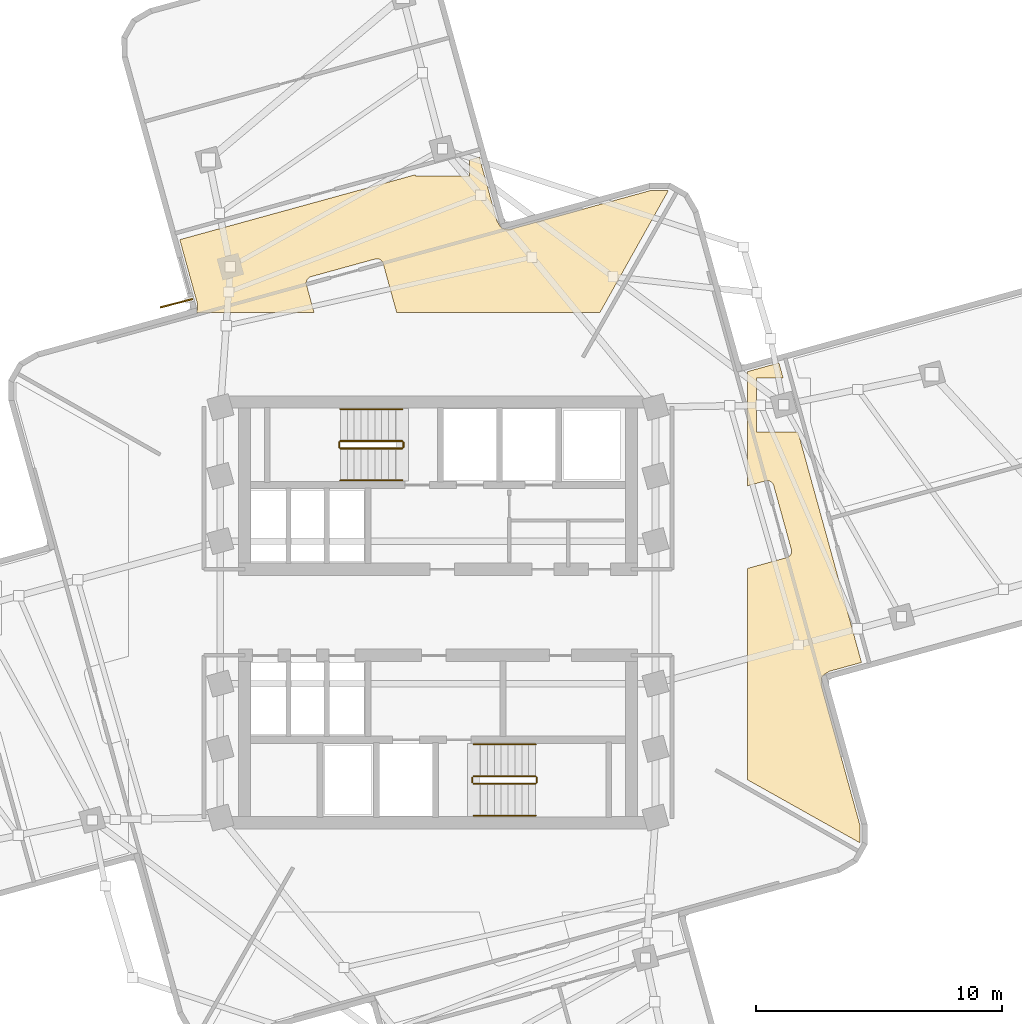
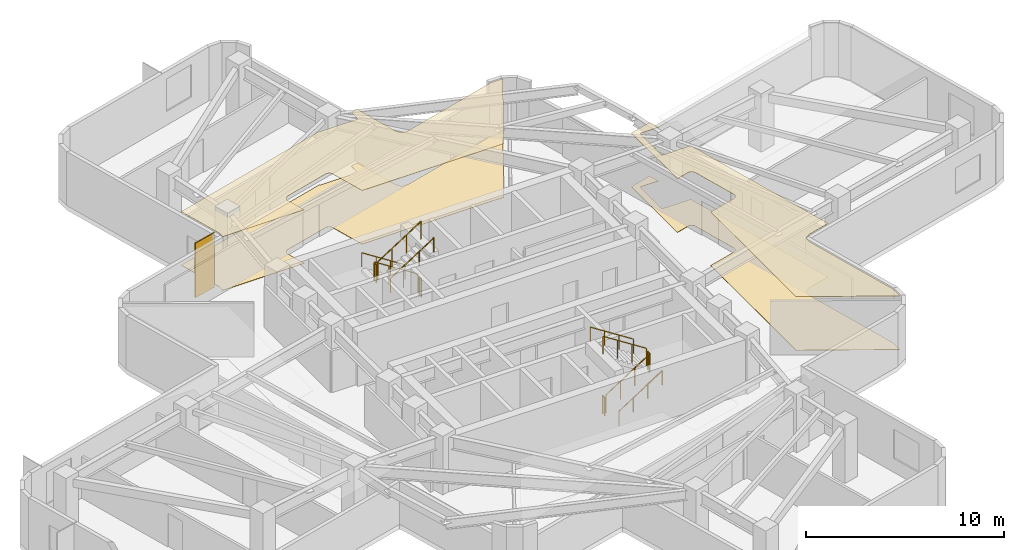
# One storey, part 7 of 8: 12 railings, 4 coverings, 1 shading device.
"""IFC4 building model written with IfcOpenShell, lengths in metres."""

from ifc_helpers import new_model, si_unit, direction, frame, origin, origin_2d, place, context, subcontext, project, spatial, polyline, rectangle, circle, outline, extrude, material, layer, layer_set, type_object, element, save


model = new_model("IFC4")

# Units and contexts
model_context = context("Model", 3, precision=1e-05, world=origin(), true_north=direction((0.0, 1.0)))
body_context = subcontext(model_context, "Body", "Model", "MODEL_VIEW")
ifc_project = project(units=[si_unit("LENGTHUNIT", "METRE"), si_unit("AREAUNIT", "SQUARE_METRE"), si_unit("VOLUMEUNIT", "CUBIC_METRE"), si_unit("PLANEANGLEUNIT", "RADIAN"), si_unit("MASSUNIT", "GRAM", prefix="KILO")], contexts=[model_context])

# Site, building, storey
site_placement = place(None, origin())
site = spatial("IfcSite", under=ifc_project, at=site_placement, CompositionType="ELEMENT")
building_placement = place(site_placement, origin())
building = spatial("IfcBuilding", under=site, at=building_placement, Name="Solmarez Civic Tower", CompositionType="ELEMENT")
storey_placement = place(building_placement, frame((0.0, 0.0, 137.8798828125)))
storey = spatial("IfcBuildingStorey", under=building, at=storey_placement, Name="L36", CompositionType="ELEMENT", Elevation=137.8798828125)

# Coverings
ifc_material_1 = material(Name="Perforated Mineral-Fibre Acoustic Ceiling")
ifc_layer_1 = layer(ifc_material_1, 0.02490234375)
ifc_layer_set_1 = layer_set([ifc_layer_1], Name="Perforated Mineral-Fibre Acoustic Ceiling")
covering_type_1 = type_object("IfcCoveringType", Name="COV-CEIL-ACOUSTIC", PredefinedType="CEILING", material=ifc_layer_set_1)
covering_1_placement = place(storey_placement, frame((0.0, 0.0, 3.295166015625)))
element("IfcCovering", 1, at=covering_1_placement, inside=storey, type_object=covering_type_1, Name="L36 Suspended Acoustic Ceiling 2", PredefinedType="CEILING", context=body_context, shape_type="SweptSolid", body=[
    extrude(outline(polyline([(-10.50390625, 15.1650390625), (-9.802001953125, 12.615966796875), (-9.797119140625, 12.596923828125), (-9.79296875, 12.576904296875), (-9.7919921875, 12.570068359375), (-9.7900390625, 12.5390625), (-9.7900390625, 12.532958984375), (-9.7890625, 12.360107421875), (-9.7890625, 12.35205078125), (-9.791015625, 12.321044921875), (-9.7919921875, 12.31396484375), (-9.797119140625, 12.2919921875), (-9.799072265625, 12.283935546875), (-9.800048828125, 12.277099609375), (-9.802001953125, 12.27001953125), (-9.81201171875, 12.242919921875), (-9.81494140625, 12.236083984375), (-9.825927734375, 12.214111328125), (-9.830078125, 12.20703125), (-9.833984375, 12.199951171875), (-5.041015625, 12.199951171875), (-5.35107421875, 13.327880859375), (-5.35400390625, 13.337890625), (-5.35595703125, 13.346923828125), (-5.360107421875, 13.37109375), (-5.361083984375, 13.39501953125), (-5.361083984375, 13.405029296875), (-5.360107421875, 13.427001953125), (-5.35693359375, 13.447998046875), (-5.35595703125, 13.452880859375), (-5.34912109375, 13.47998046875), (-5.345947265625, 13.489013671875), (-5.337890625, 13.508056640625), (-5.3291015625, 13.52587890625), (-5.323974609375, 13.534912109375), (-5.31396484375, 13.552001953125), (-5.301025390625, 13.568115234375), (-5.2880859375, 13.583984375), (-5.281005859375, 13.591064453125), (-5.26806640625, 13.60205078125), (-5.260986328125, 13.60791015625), (-5.243896484375, 13.6220703125), (-5.22509765625, 13.633056640625), (-5.216064453125, 13.637939453125), (-5.195068359375, 13.64794921875), (-5.174072265625, 13.656005859375), (-5.162109375, 13.658935546875), (-2.55908203125, 14.3759765625), (-2.549072265625, 14.37890625), (-2.5400390625, 14.381103515625), (-2.51611328125, 14.385009765625), (-2.491943359375, 14.385986328125), (-2.48193359375, 14.385986328125), (-2.4599609375, 14.385009765625), (-2.43896484375, 14.382080078125), (-2.43408203125, 14.381103515625), (-2.406982421875, 14.3740234375), (-2.39794921875, 14.37109375), (-2.37890625, 14.363037109375), (-2.361083984375, 14.35400390625), (-2.35205078125, 14.34912109375), (-2.3349609375, 14.339111328125), (-2.319091796875, 14.325927734375), (-2.302978515625, 14.31298828125), (-2.2958984375, 14.305908203125), (-2.284912109375, 14.29296875), (-2.279052734375, 14.285888671875), (-2.264892578125, 14.26904296875), (-2.25390625, 14.25), (-2.2490234375, 14.240966796875), (-2.239013671875, 14.219970703125), (-2.23095703125, 14.198974609375), (-2.22802734375, 14.18701171875), (-1.679931640625, 12.199951171875), (6.590087890625, 12.199951171875), (9.376953125, 17.1689453125), (9.3720703125, 17.172119140625), (8.662109375, 17.1669921875), (3.013916015625, 15.611083984375), (3.008056640625, 15.60888671875), (2.97900390625, 15.60302734375), (2.971923828125, 15.60205078125), (2.94091796875, 15.60009765625), (2.93505859375, 15.60009765625), (2.761962890625, 15.59912109375), (2.7548828125, 15.59912109375), (2.72802734375, 15.60107421875), (2.719970703125, 15.60205078125), (2.702880859375, 15.60400390625), (2.68701171875, 15.60791015625), (2.678955078125, 15.611083984375), (2.656005859375, 15.617919921875), (2.634033203125, 15.626953125), (2.6279296875, 15.6298828125), (2.616943359375, 15.635986328125), (2.610107421875, 15.639892578125), (2.593994140625, 15.64990234375), (2.5791015625, 15.660888671875), (2.568115234375, 15.6689453125), (2.552001953125, 15.68408203125), (2.5380859375, 15.698974609375), (2.528076171875, 15.7109375), (2.513916015625, 15.72998046875), (2.510009765625, 15.736083984375), (2.5029296875, 15.7470703125), (2.4189453125, 15.89111328125), (2.408935546875, 15.907958984375), (2.39990234375, 15.925048828125), (2.39306640625, 15.943115234375), (2.39111328125, 15.948974609375), (2.387939453125, 15.958984375), (2.385986328125, 15.968017578125), (1.681884765625, 18.52099609375), (1.282958984375, 18.412109375), (1.282958984375, 17.760009765625), (-0.9169921875, 17.760009765625), (-0.9169921875, 17.805908203125), (-10.50390625, 15.1650390625)])), origin(), (0.0, 0.0, 1.0), 0.02490234375),
])
covering_2_placement = place(storey_placement, frame((0.0, 0.0, 3.295166015625)))
element("IfcCovering", 2, at=covering_2_placement, inside=storey, type_object=covering_type_1, Name="L36 Suspended Acoustic Ceiling 4", PredefinedType="CEILING", context=body_context, shape_type="SweptSolid", body=[
    extrude(outline(polyline([(13.658935546875, 5.162109375), (14.3759765625, 2.55908203125), (14.37890625, 2.549072265625), (14.381103515625, 2.5400390625), (14.385009765625, 2.51611328125), (14.385986328125, 2.491943359375), (14.385986328125, 2.48193359375), (14.385009765625, 2.4599609375), (14.382080078125, 2.43896484375), (14.381103515625, 2.43408203125), (14.3740234375, 2.406982421875), (14.37109375, 2.39794921875), (14.363037109375, 2.37890625), (14.35400390625, 2.361083984375), (14.34912109375, 2.35205078125), (14.339111328125, 2.3349609375), (14.325927734375, 2.319091796875), (14.31298828125, 2.302978515625), (14.305908203125, 2.2958984375), (14.29296875, 2.284912109375), (14.285888671875, 2.279052734375), (14.26904296875, 2.264892578125), (14.25, 2.25390625), (14.240966796875, 2.2490234375), (14.219970703125, 2.239013671875), (14.198974609375, 2.23095703125), (14.18701171875, 2.22802734375), (12.60009765625, 1.7900390625), (12.60009765625, -6.81494140625), (17.1689453125, -9.376953125), (17.172119140625, -9.3720703125), (17.1669921875, -8.662109375), (15.611083984375, -3.013916015625), (15.60888671875, -3.008056640625), (15.60302734375, -2.97900390625), (15.60205078125, -2.971923828125), (15.60009765625, -2.94091796875), (15.60009765625, -2.93505859375), (15.59912109375, -2.761962890625), (15.59912109375, -2.7548828125), (15.60107421875, -2.72802734375), (15.60205078125, -2.719970703125), (15.60400390625, -2.702880859375), (15.60791015625, -2.68701171875), (15.611083984375, -2.678955078125), (15.617919921875, -2.656005859375), (15.626953125, -2.634033203125), (15.6298828125, -2.6279296875), (15.635986328125, -2.616943359375), (15.639892578125, -2.610107421875), (15.64990234375, -2.593994140625), (15.660888671875, -2.5791015625), (15.6689453125, -2.568115234375), (15.68408203125, -2.552001953125), (15.698974609375, -2.5380859375), (15.7109375, -2.528076171875), (15.72998046875, -2.513916015625), (15.736083984375, -2.510009765625), (15.7470703125, -2.5029296875), (15.89111328125, -2.4189453125), (15.907958984375, -2.408935546875), (15.925048828125, -2.39990234375), (15.943115234375, -2.39306640625), (15.948974609375, -2.39111328125), (15.958984375, -2.387939453125), (15.967041015625, -2.385986328125), (17.22998046875, -2.037109375), (14.64501953125, 7.344970703125), (12.964111328125, 7.344970703125), (12.964111328125, 9.544921875), (14.0400390625, 9.544921875), (13.873046875, 10.14892578125), (12.615966796875, 9.802001953125), (12.60009765625, 9.798095703125), (12.60009765625, 5.15087890625), (13.327880859375, 5.35107421875), (13.337890625, 5.35400390625), (13.346923828125, 5.35595703125), (13.37109375, 5.360107421875), (13.39501953125, 5.361083984375), (13.405029296875, 5.361083984375), (13.427001953125, 5.360107421875), (13.447998046875, 5.35693359375), (13.452880859375, 5.35595703125), (13.47998046875, 5.34912109375), (13.489013671875, 5.345947265625), (13.508056640625, 5.337890625), (13.52587890625, 5.3291015625), (13.534912109375, 5.323974609375), (13.552001953125, 5.31396484375), (13.568115234375, 5.301025390625), (13.583984375, 5.2880859375), (13.591064453125, 5.281005859375), (13.60205078125, 5.26806640625), (13.60791015625, 5.260986328125), (13.6220703125, 5.243896484375), (13.633056640625, 5.22509765625), (13.637939453125, 5.216064453125), (13.64794921875, 5.195068359375), (13.656005859375, 5.174072265625), (13.658935546875, 5.162109375)])), origin(), (0.0, 0.0, 1.0), 0.02490234375),
])
ifc_material_2 = material(Name="Polished Tropical Stone Terrazzo Flooring", Category="masonry")
ifc_layer_2 = layer(ifc_material_2, 0.02001953125)
ifc_layer_set_2 = layer_set([ifc_layer_2], Name="Polished Tropical Stone Terrazzo Flooring")
covering_type_2 = type_object("IfcCoveringType", Name="COV-FLOOR-TERRAZZO", PredefinedType="FLOORING", material=ifc_layer_set_2)
covering_3_placement = place(storey_placement, origin())
element("IfcCovering", 3, at=covering_3_placement, inside=storey, type_object=covering_type_2, Name="L36 Terrazzo Floor Finish 2", PredefinedType="FLOORING", context=body_context, shape_type="SweptSolid", body=[
    extrude(outline(polyline([(-10.50390625, 15.1650390625), (-9.802001953125, 12.615966796875), (-9.797119140625, 12.596923828125), (-9.79296875, 12.576904296875), (-9.7919921875, 12.570068359375), (-9.7900390625, 12.5390625), (-9.7900390625, 12.532958984375), (-9.7890625, 12.360107421875), (-9.7890625, 12.35205078125), (-9.791015625, 12.321044921875), (-9.7919921875, 12.31396484375), (-9.797119140625, 12.2919921875), (-9.799072265625, 12.283935546875), (-9.800048828125, 12.277099609375), (-9.802001953125, 12.27001953125), (-9.81201171875, 12.242919921875), (-9.81494140625, 12.236083984375), (-9.825927734375, 12.214111328125), (-9.830078125, 12.20703125), (-9.833984375, 12.199951171875), (-5.041015625, 12.199951171875), (-5.35107421875, 13.327880859375), (-5.35400390625, 13.337890625), (-5.35595703125, 13.346923828125), (-5.360107421875, 13.37109375), (-5.361083984375, 13.39501953125), (-5.361083984375, 13.405029296875), (-5.360107421875, 13.427001953125), (-5.35693359375, 13.447998046875), (-5.35595703125, 13.452880859375), (-5.34912109375, 13.47998046875), (-5.345947265625, 13.489013671875), (-5.337890625, 13.508056640625), (-5.3291015625, 13.52587890625), (-5.323974609375, 13.534912109375), (-5.31396484375, 13.552001953125), (-5.301025390625, 13.568115234375), (-5.2880859375, 13.583984375), (-5.281005859375, 13.591064453125), (-5.26806640625, 13.60205078125), (-5.260986328125, 13.60791015625), (-5.243896484375, 13.6220703125), (-5.22509765625, 13.633056640625), (-5.216064453125, 13.637939453125), (-5.195068359375, 13.64794921875), (-5.174072265625, 13.656005859375), (-5.162109375, 13.658935546875), (-2.55908203125, 14.3759765625), (-2.549072265625, 14.37890625), (-2.5400390625, 14.381103515625), (-2.51611328125, 14.385009765625), (-2.491943359375, 14.385986328125), (-2.48193359375, 14.385986328125), (-2.4599609375, 14.385009765625), (-2.43896484375, 14.382080078125), (-2.43408203125, 14.381103515625), (-2.406982421875, 14.3740234375), (-2.39794921875, 14.37109375), (-2.37890625, 14.363037109375), (-2.361083984375, 14.35400390625), (-2.35205078125, 14.34912109375), (-2.3349609375, 14.339111328125), (-2.319091796875, 14.325927734375), (-2.302978515625, 14.31298828125), (-2.2958984375, 14.305908203125), (-2.284912109375, 14.29296875), (-2.279052734375, 14.285888671875), (-2.264892578125, 14.26904296875), (-2.25390625, 14.25), (-2.2490234375, 14.240966796875), (-2.239013671875, 14.219970703125), (-2.23095703125, 14.198974609375), (-2.22802734375, 14.18701171875), (-1.679931640625, 12.199951171875), (6.590087890625, 12.199951171875), (9.376953125, 17.1689453125), (9.3720703125, 17.172119140625), (8.662109375, 17.1669921875), (3.013916015625, 15.611083984375), (3.008056640625, 15.60888671875), (2.97900390625, 15.60302734375), (2.971923828125, 15.60205078125), (2.94091796875, 15.60009765625), (2.93505859375, 15.60009765625), (2.761962890625, 15.59912109375), (2.7548828125, 15.59912109375), (2.72802734375, 15.60107421875), (2.719970703125, 15.60205078125), (2.702880859375, 15.60400390625), (2.68701171875, 15.60791015625), (2.678955078125, 15.611083984375), (2.656005859375, 15.617919921875), (2.634033203125, 15.626953125), (2.6279296875, 15.6298828125), (2.616943359375, 15.635986328125), (2.610107421875, 15.639892578125), (2.593994140625, 15.64990234375), (2.5791015625, 15.660888671875), (2.568115234375, 15.6689453125), (2.552001953125, 15.68408203125), (2.5380859375, 15.698974609375), (2.528076171875, 15.7109375), (2.513916015625, 15.72998046875), (2.510009765625, 15.736083984375), (2.5029296875, 15.7470703125), (2.4189453125, 15.89111328125), (2.408935546875, 15.907958984375), (2.39990234375, 15.925048828125), (2.39306640625, 15.943115234375), (2.39111328125, 15.948974609375), (2.387939453125, 15.958984375), (2.385986328125, 15.968017578125), (1.681884765625, 18.52099609375), (1.282958984375, 18.412109375), (1.282958984375, 17.760009765625), (-0.9169921875, 17.760009765625), (-0.9169921875, 17.805908203125), (-10.50390625, 15.1650390625)])), origin(), (0.0, 0.0, 1.0), 0.02001953125),
])
covering_4_placement = place(storey_placement, origin())
element("IfcCovering", 4, at=covering_4_placement, inside=storey, type_object=covering_type_2, Name="L36 Terrazzo Floor Finish 4", PredefinedType="FLOORING", context=body_context, shape_type="SweptSolid", body=[
    extrude(outline(polyline([(13.658935546875, 5.162109375), (14.3759765625, 2.55908203125), (14.37890625, 2.549072265625), (14.381103515625, 2.5400390625), (14.385009765625, 2.51611328125), (14.385986328125, 2.491943359375), (14.385986328125, 2.48193359375), (14.385009765625, 2.4599609375), (14.382080078125, 2.43896484375), (14.381103515625, 2.43408203125), (14.3740234375, 2.406982421875), (14.37109375, 2.39794921875), (14.363037109375, 2.37890625), (14.35400390625, 2.361083984375), (14.34912109375, 2.35205078125), (14.339111328125, 2.3349609375), (14.325927734375, 2.319091796875), (14.31298828125, 2.302978515625), (14.305908203125, 2.2958984375), (14.29296875, 2.284912109375), (14.285888671875, 2.279052734375), (14.26904296875, 2.264892578125), (14.25, 2.25390625), (14.240966796875, 2.2490234375), (14.219970703125, 2.239013671875), (14.198974609375, 2.23095703125), (14.18701171875, 2.22802734375), (12.60009765625, 1.7900390625), (12.60009765625, -6.81494140625), (17.1689453125, -9.376953125), (17.172119140625, -9.3720703125), (17.1669921875, -8.662109375), (15.611083984375, -3.013916015625), (15.60888671875, -3.008056640625), (15.60302734375, -2.97900390625), (15.60205078125, -2.971923828125), (15.60009765625, -2.94091796875), (15.60009765625, -2.93505859375), (15.59912109375, -2.761962890625), (15.59912109375, -2.7548828125), (15.60107421875, -2.72802734375), (15.60205078125, -2.719970703125), (15.60400390625, -2.702880859375), (15.60791015625, -2.68701171875), (15.611083984375, -2.678955078125), (15.617919921875, -2.656005859375), (15.626953125, -2.634033203125), (15.6298828125, -2.6279296875), (15.635986328125, -2.616943359375), (15.639892578125, -2.610107421875), (15.64990234375, -2.593994140625), (15.660888671875, -2.5791015625), (15.6689453125, -2.568115234375), (15.68408203125, -2.552001953125), (15.698974609375, -2.5380859375), (15.7109375, -2.528076171875), (15.72998046875, -2.513916015625), (15.736083984375, -2.510009765625), (15.7470703125, -2.5029296875), (15.89111328125, -2.4189453125), (15.907958984375, -2.408935546875), (15.925048828125, -2.39990234375), (15.943115234375, -2.39306640625), (15.948974609375, -2.39111328125), (15.958984375, -2.387939453125), (15.967041015625, -2.385986328125), (17.22998046875, -2.037109375), (14.64501953125, 7.344970703125), (12.964111328125, 7.344970703125), (12.964111328125, 9.544921875), (14.0400390625, 9.544921875), (13.873046875, 10.14892578125), (12.615966796875, 9.802001953125), (12.60009765625, 9.798095703125), (12.60009765625, 5.15087890625), (13.327880859375, 5.35107421875), (13.337890625, 5.35400390625), (13.346923828125, 5.35595703125), (13.37109375, 5.360107421875), (13.39501953125, 5.361083984375), (13.405029296875, 5.361083984375), (13.427001953125, 5.360107421875), (13.447998046875, 5.35693359375), (13.452880859375, 5.35595703125), (13.47998046875, 5.34912109375), (13.489013671875, 5.345947265625), (13.508056640625, 5.337890625), (13.52587890625, 5.3291015625), (13.534912109375, 5.323974609375), (13.552001953125, 5.31396484375), (13.568115234375, 5.301025390625), (13.583984375, 5.2880859375), (13.591064453125, 5.281005859375), (13.60205078125, 5.26806640625), (13.60791015625, 5.260986328125), (13.6220703125, 5.243896484375), (13.633056640625, 5.22509765625), (13.637939453125, 5.216064453125), (13.64794921875, 5.195068359375), (13.656005859375, 5.174072265625), (13.658935546875, 5.162109375)])), origin(), (0.0, 0.0, 1.0), 0.02001953125),
])

# Shading device
ifc_material_3 = material(Name="Bronze Anodised Aluminium EN AW-6063 T6", Category="aluminium")
ifc_layer_3 = layer(ifc_material_3, 0.06005859375)
ifc_layer_set_3 = layer_set([ifc_layer_3], Name="Bronze Anodised Aluminium EN AW-6063 T6")
shading_device_type = type_object("IfcShadingDeviceType", Name="FIN-BRONZE-Z34", PredefinedType="USERDEFINED", material=ifc_layer_set_3)
shading_device_placement = place(storey_placement, frame((-10.637939453125, 12.5791015625, -0.0400390625), z_axis=(0.0, 0.0, 1.0), x_axis=(-0.968570138429, -0.24874060172, 0.0)))
element("IfcShadingDevice", 5, at=shading_device_placement, inside=storey, type_object=shading_device_type, Name="L36 Anodised Bronze Solar Fin FIN-L36-03", ObjectType="FIN", PredefinedType="USERDEFINED", context=body_context, shape_type="SweptSolid", body=[
    extrude(rectangle(XDim=1.35009765625, YDim=0.06005859375, at=origin_2d()), origin(), (0.0, 0.0, 1.0), 3.360107421875),
])

# Railings
ifc_material_4 = material(Name="Painted Steel Stairwell Safety Guard", Category="steel")
railing_type_1 = type_object("IfcRailingType", Name="GUARD-STAIR-1120", PredefinedType="BALUSTRADE", material=ifc_material_4)
railing_1_placement = place(storey_placement, frame((-1.449951171875, 6.969970703125, 0.18017578125)))
element("IfcRailing", 6, at=railing_1_placement, inside=storey, type_object=railing_type_1, Name="L36 ST-1 stair guard 1", PredefinedType="BALUSTRADE", context=body_context, shape_type="SweptSolid", body=[
    extrude(circle(Radius=0.02392578125, at=origin_2d()), frame((0.0, 0.0, 1.09619140625), z_axis=(-0.841199657755, 0.0, 0.540724639528), x_axis=(0.0, -1.0, 0.0)), (0.0, 0.0, 1.0), 2.995849609375),
    extrude(circle(Radius=0.02099609375, at=origin_2d()), origin(), (0.0, 0.0, 1.0), 1.072021484375),
    extrude(circle(Radius=0.02099609375, at=origin_2d()), frame((-0.840087890625, 0.0, 0.5400390625)), (0.0, 0.0, 1.0), 1.072021484375),
    extrude(circle(Radius=0.02099609375, at=origin_2d()), frame((-1.679931640625, 0.0, 1.079833984375)), (0.0, 0.0, 1.0), 1.072021484375),
    extrude(circle(Radius=0.02099609375, at=origin_2d()), frame((-2.52001953125, 0.0, 1.619873046875)), (0.0, 0.0, 1.0), 1.072021484375),
])
railing_2_placement = place(storey_placement, frame((-4.02001953125, 6.919921875, 1.800048828125)))
element("IfcRailing", 7, at=railing_2_placement, inside=storey, type_object=railing_type_1, Name="L36 ST-1 stair guard 2", PredefinedType="BALUSTRADE", context=body_context, shape_type="SweptSolid", body=[
    extrude(circle(Radius=0.02392578125, at=origin_2d()), frame((0.0, 0.0, 1.09619140625), z_axis=(0.0, -1.0, 0.0), x_axis=(1.0, 0.0, 0.0)), (0.0, 0.0, 1.0), 0.199951171875),
    extrude(circle(Radius=0.02099609375, at=origin_2d()), origin(), (0.0, 0.0, 1.0), 1.072021484375),
    extrude(circle(Radius=0.02099609375, at=origin_2d()), frame((0.0, -0.199951171875, 0.0)), (0.0, 0.0, 1.0), 1.072021484375),
])
railing_3_placement = place(storey_placement, frame((-3.969970703125, 6.669921875, 1.980224609375)))
element("IfcRailing", 8, at=railing_3_placement, inside=storey, type_object=railing_type_1, Name="L36 ST-1 stair guard 3", PredefinedType="BALUSTRADE", context=body_context, shape_type="SweptSolid", body=[
    extrude(circle(Radius=0.02392578125, at=origin_2d()), frame((0.0, 0.0, 1.09619140625), z_axis=(0.841199657755, 0.0, 0.540724639528), x_axis=(0.0, 1.0, 0.0)), (0.0, 0.0, 1.0), 2.995849609375),
    extrude(circle(Radius=0.02099609375, at=origin_2d()), origin(), (0.0, 0.0, 1.0), 1.072021484375),
    extrude(circle(Radius=0.02099609375, at=origin_2d()), frame((0.840087890625, 0.0, 0.5400390625)), (0.0, 0.0, 1.0), 1.072021484375),
    extrude(circle(Radius=0.02099609375, at=origin_2d()), frame((1.679931640625, 0.0, 1.079833984375)), (0.0, 0.0, 1.0), 1.072021484375),
    extrude(circle(Radius=0.02099609375, at=origin_2d()), frame((2.52001953125, 0.0, 1.619873046875)), (0.0, 0.0, 1.0), 1.072021484375),
])
railing_4_placement = place(storey_placement, frame((-1.39990234375, 6.919921875, 0.0)))
element("IfcRailing", 9, at=railing_4_placement, inside=storey, type_object=railing_type_1, Name="L36 ST-1 stair guard 4", PredefinedType="BALUSTRADE", context=body_context, shape_type="SweptSolid", body=[
    extrude(circle(Radius=0.02392578125, at=origin_2d()), frame((0.0, 0.0, 1.09619140625), z_axis=(0.0, -1.0, 0.0), x_axis=(1.0, 0.0, 0.0)), (0.0, 0.0, 1.0), 0.199951171875),
    extrude(circle(Radius=0.02099609375, at=origin_2d()), origin(), (0.0, 0.0, 1.0), 1.072021484375),
    extrude(circle(Radius=0.02099609375, at=origin_2d()), frame((0.0, -0.199951171875, 0.0)), (0.0, 0.0, 1.0), 1.072021484375),
])
railing_5_placement = place(storey_placement, frame((1.449951171875, -6.969970703125, 0.18017578125)))
element("IfcRailing", 10, at=railing_5_placement, inside=storey, type_object=railing_type_1, Name="L36 ST-2 stair guard 1", PredefinedType="BALUSTRADE", context=body_context, shape_type="SweptSolid", body=[
    extrude(circle(Radius=0.02392578125, at=origin_2d()), frame((0.0, 0.0, 1.09619140625), z_axis=(0.841199657755, 0.0, 0.540724639528), x_axis=(0.0, 1.0, 0.0)), (0.0, 0.0, 1.0), 2.995849609375),
    extrude(circle(Radius=0.02099609375, at=origin_2d()), origin(), (0.0, 0.0, 1.0), 1.072021484375),
    extrude(circle(Radius=0.02099609375, at=origin_2d()), frame((0.840087890625, 0.0, 0.5400390625)), (0.0, 0.0, 1.0), 1.072021484375),
    extrude(circle(Radius=0.02099609375, at=origin_2d()), frame((1.679931640625, 0.0, 1.079833984375)), (0.0, 0.0, 1.0), 1.072021484375),
    extrude(circle(Radius=0.02099609375, at=origin_2d()), frame((2.52001953125, 0.0, 1.619873046875)), (0.0, 0.0, 1.0), 1.072021484375),
])
railing_6_placement = place(storey_placement, frame((4.02001953125, -6.919921875, 1.800048828125)))
element("IfcRailing", 11, at=railing_6_placement, inside=storey, type_object=railing_type_1, Name="L36 ST-2 stair guard 2", PredefinedType="BALUSTRADE", context=body_context, shape_type="SweptSolid", body=[
    extrude(circle(Radius=0.02392578125, at=origin_2d()), frame((0.0, 0.0, 1.09619140625), z_axis=(0.0, 1.0, 0.0), x_axis=(-1.0, 0.0, 0.0)), (0.0, 0.0, 1.0), 0.199951171875),
    extrude(circle(Radius=0.02099609375, at=origin_2d()), origin(), (0.0, 0.0, 1.0), 1.072021484375),
    extrude(circle(Radius=0.02099609375, at=origin_2d()), frame((0.0, 0.199951171875, 0.0)), (0.0, 0.0, 1.0), 1.072021484375),
])
railing_7_placement = place(storey_placement, frame((3.969970703125, -6.669921875, 1.980224609375)))
element("IfcRailing", 12, at=railing_7_placement, inside=storey, type_object=railing_type_1, Name="L36 ST-2 stair guard 3", PredefinedType="BALUSTRADE", context=body_context, shape_type="SweptSolid", body=[
    extrude(circle(Radius=0.02392578125, at=origin_2d()), frame((0.0, 0.0, 1.09619140625), z_axis=(-0.841199657755, 0.0, 0.540724639528), x_axis=(0.0, -1.0, 0.0)), (0.0, 0.0, 1.0), 2.995849609375),
    extrude(circle(Radius=0.02099609375, at=origin_2d()), origin(), (0.0, 0.0, 1.0), 1.072021484375),
    extrude(circle(Radius=0.02099609375, at=origin_2d()), frame((-0.840087890625, 0.0, 0.5400390625)), (0.0, 0.0, 1.0), 1.072021484375),
    extrude(circle(Radius=0.02099609375, at=origin_2d()), frame((-1.679931640625, 0.0, 1.079833984375)), (0.0, 0.0, 1.0), 1.072021484375),
    extrude(circle(Radius=0.02099609375, at=origin_2d()), frame((-2.52001953125, 0.0, 1.619873046875)), (0.0, 0.0, 1.0), 1.072021484375),
])
railing_8_placement = place(storey_placement, frame((1.39990234375, -6.919921875, 0.0)))
element("IfcRailing", 13, at=railing_8_placement, inside=storey, type_object=railing_type_1, Name="L36 ST-2 stair guard 4", PredefinedType="BALUSTRADE", context=body_context, shape_type="SweptSolid", body=[
    extrude(circle(Radius=0.02392578125, at=origin_2d()), frame((0.0, 0.0, 1.09619140625), z_axis=(0.0, 1.0, 0.0), x_axis=(-1.0, 0.0, 0.0)), (0.0, 0.0, 1.0), 0.199951171875),
    extrude(circle(Radius=0.02099609375, at=origin_2d()), origin(), (0.0, 0.0, 1.0), 1.072021484375),
    extrude(circle(Radius=0.02099609375, at=origin_2d()), frame((0.0, 0.199951171875, 0.0)), (0.0, 0.0, 1.0), 1.072021484375),
])
ifc_material_5 = material(Name="Brushed Stainless Steel Tube Handrail", Category="steel")
railing_type_2 = type_object("IfcRailingType", Name="HANDRAIL-STAIR-900", PredefinedType="HANDRAIL", material=ifc_material_5)
railing_9_placement = place(storey_placement, frame((-1.449951171875, 8.27001953125, 0.18017578125)))
element("IfcRailing", 14, at=railing_9_placement, inside=storey, type_object=railing_type_2, Name="L36 ST-1 stair handrail 1", PredefinedType="HANDRAIL", context=body_context, shape_type="SweptSolid", body=[
    extrude(circle(Radius=0.02392578125, at=origin_2d()), frame((0.0, 0.0, 0.8759765625), z_axis=(-0.841199657755, 0.0, 0.540724639528), x_axis=(0.0, -1.0, 0.0)), (0.0, 0.0, 1.0), 2.995849609375),
    extrude(circle(Radius=0.02099609375, at=origin_2d()), origin(), (0.0, 0.0, 1.0), 0.851806640625),
    extrude(circle(Radius=0.02099609375, at=origin_2d()), frame((-0.840087890625, 0.0, 0.5400390625)), (0.0, 0.0, 1.0), 0.851806640625),
    extrude(circle(Radius=0.02099609375, at=origin_2d()), frame((-1.679931640625, 0.0, 1.079833984375)), (0.0, 0.0, 1.0), 0.851806640625),
    extrude(circle(Radius=0.02099609375, at=origin_2d()), frame((-2.52001953125, 0.0, 1.619873046875)), (0.0, 0.0, 1.0), 0.851806640625),
])
for number, where, name in (
    (15, (-3.969970703125, 5.3701171875, 1.980224609375), "L36 ST-1 stair handrail 2"),
    (16, (1.449951171875, -8.27001953125, 0.18017578125), "L36 ST-2 stair handrail 1"),
):
    element("IfcRailing", number, at=place(storey_placement, frame(where)), inside=storey, type_object=railing_type_2, Name=name, PredefinedType="HANDRAIL", context=body_context, shape_type="SweptSolid", body=[
        extrude(circle(Radius=0.02392578125, at=origin_2d()), frame((0.0, 0.0, 0.8759765625), z_axis=(0.841199657755, 0.0, 0.540724639528), x_axis=(0.0, 1.0, 0.0)), (0.0, 0.0, 1.0), 2.995849609375),
        extrude(circle(Radius=0.02099609375, at=origin_2d()), origin(), (0.0, 0.0, 1.0), 0.851806640625),
        extrude(circle(Radius=0.02099609375, at=origin_2d()), frame((0.840087890625, 0.0, 0.5400390625)), (0.0, 0.0, 1.0), 0.851806640625),
        extrude(circle(Radius=0.02099609375, at=origin_2d()), frame((1.679931640625, 0.0, 1.079833984375)), (0.0, 0.0, 1.0), 0.851806640625),
        extrude(circle(Radius=0.02099609375, at=origin_2d()), frame((2.52001953125, 0.0, 1.619873046875)), (0.0, 0.0, 1.0), 0.851806640625),
    ])
railing_10_placement = place(storey_placement, frame((3.969970703125, -5.3701171875, 1.980224609375)))
element("IfcRailing", 17, at=railing_10_placement, inside=storey, type_object=railing_type_2, Name="L36 ST-2 stair handrail 2", PredefinedType="HANDRAIL", context=body_context, shape_type="SweptSolid", body=[
    extrude(circle(Radius=0.02392578125, at=origin_2d()), frame((0.0, 0.0, 0.8759765625), z_axis=(-0.841199657755, 0.0, 0.540724639528), x_axis=(0.0, -1.0, 0.0)), (0.0, 0.0, 1.0), 2.995849609375),
    extrude(circle(Radius=0.02099609375, at=origin_2d()), origin(), (0.0, 0.0, 1.0), 0.851806640625),
    extrude(circle(Radius=0.02099609375, at=origin_2d()), frame((-0.840087890625, 0.0, 0.5400390625)), (0.0, 0.0, 1.0), 0.851806640625),
    extrude(circle(Radius=0.02099609375, at=origin_2d()), frame((-1.679931640625, 0.0, 1.079833984375)), (0.0, 0.0, 1.0), 0.851806640625),
    extrude(circle(Radius=0.02099609375, at=origin_2d()), frame((-2.52001953125, 0.0, 1.619873046875)), (0.0, 0.0, 1.0), 0.851806640625),
])

save(model, "model.ifc")
